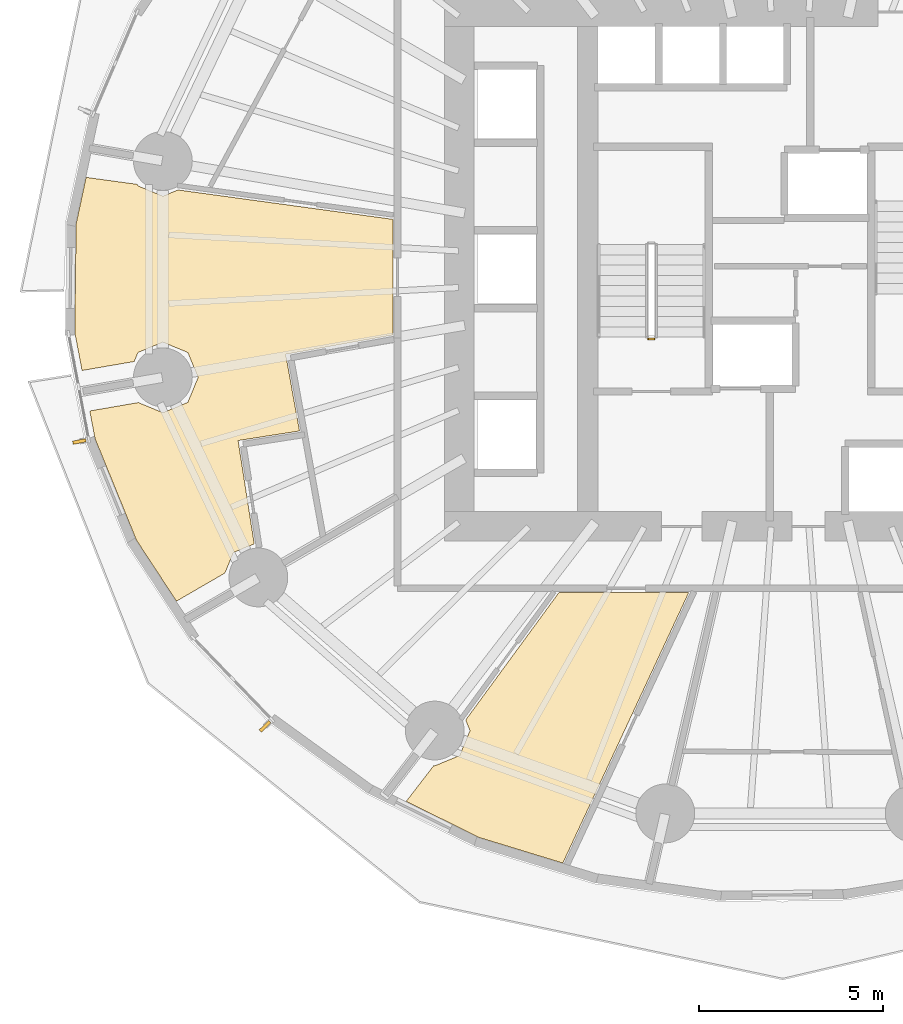
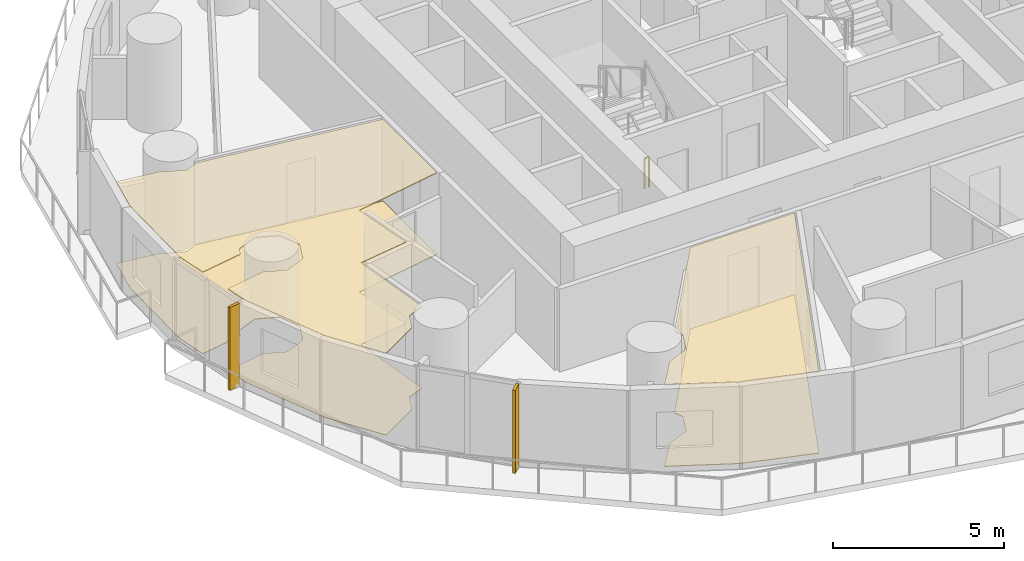
# One storey, part 11 of 14: 4 coverings, 2 shading devices, 1 railing.
"""IFC4 building model written with IfcOpenShell, lengths in metres."""

from ifc_helpers import new_model, si_unit, direction, frame, origin, origin_2d, place, context, subcontext, project, spatial, polyline, rectangle, outline, extrude, material, layer, layer_set, type_object, element, save


model = new_model("IFC4")

# Units and contexts
model_context = context("Model", 3, precision=1e-05, world=origin(), true_north=direction((0.0, 1.0)))
body_context = subcontext(model_context, "Body", "Model", "MODEL_VIEW")
ifc_project = project(units=[si_unit("LENGTHUNIT", "METRE"), si_unit("AREAUNIT", "SQUARE_METRE"), si_unit("VOLUMEUNIT", "CUBIC_METRE"), si_unit("PLANEANGLEUNIT", "RADIAN"), si_unit("MASSUNIT", "GRAM", prefix="KILO")], contexts=[model_context])

# Site, building, storey
site_placement = place(None, origin())
site = spatial("IfcSite", under=ifc_project, at=site_placement, CompositionType="ELEMENT")
building_placement = place(site_placement, origin())
building = spatial("IfcBuilding", under=site, at=building_placement, Name="Veldorim Arch Residences", CompositionType="ELEMENT")
storey_placement = place(building_placement, frame((0.0, 0.0, 31.199951171875)))
storey = spatial("IfcBuildingStorey", under=building, at=storey_placement, Name="L08", CompositionType="ELEMENT", Elevation=31.199951171875)

# Railing
ifc_material_1 = material(Name="Steel S355", Category="steel")
railing_type = type_object("IfcRailingType", Name="Galvanised Steel Stair Safety Guardrail 1100", PredefinedType="GUARDRAIL", material=ifc_material_1)
railing_placement = place(storey_placement, frame((28.31005859375, 22.10009765625, 0.0)))
element("IfcRailing", 1, at=railing_placement, inside=storey, type_object=railing_type, Name="L08 ST-1 stair guard 4", PredefinedType="GUARDRAIL", context=body_context, shape_type="SweptSolid", body=[
    extrude(rectangle(XDim=0.048095703125, YDim=0.048095703125, at=origin_2d()), frame((0.0, 0.0, 1.076171875), z_axis=(-1.0, 0.0, 0.0), x_axis=(0.0, -1.0, 0.0)), (0.0, 0.0, 1.0), 0.16015625),
    extrude(rectangle(XDim=0.0419921875, YDim=0.0419921875, at=origin_2d()), origin(), (0.0, 0.0, 1.0), 1.052001953125),
    extrude(rectangle(XDim=0.0419921875, YDim=0.0419921875, at=origin_2d()), frame((-0.16015625, 0.0, 0.0)), (0.0, 0.0, 1.0), 1.052001953125),
])

# Coverings
ifc_material_2 = material(Name="Acoustic Gypsum & Mineral Fibre", Category="gypsum")
ifc_layer_1 = layer(ifc_material_2, 0.034912109375, Name="Perforated Acoustic Mineral-Fibre Ceiling 35")
ifc_layer_set_1 = layer_set([ifc_layer_1], Name="Acoustic Gypsum & Mineral Fibre")
covering_type_1 = type_object("IfcCoveringType", Name="Perforated Acoustic Mineral-Fibre Ceiling 35", PredefinedType="CEILING", material=ifc_layer_set_1)
covering_1_placement = place(storey_placement, frame((0.0, 0.0, 2.905029296875)))
element("IfcCovering", 2, at=covering_1_placement, inside=storey, type_object=covering_type_1, Name="L08 acoustic suspended ceiling 01", PredefinedType="CEILING", context=body_context, shape_type="SweptSolid", body=[
    extrude(outline(polyline([(22.30859375, 10.4951171875), (22.3330078125, 10.48486328125), (23.01171875, 10.76611328125), (23.29296875, 11.44482421875), (23.17431640625, 11.73095703125), (25.7119140625, 15.199951171875), (29.243896484375, 15.199951171875), (25.818115234375, 7.838623046875), (23.543212890625, 8.53466796875), (21.5546875, 9.51611328125), (22.30859375, 10.4951171875)])), origin(), (0.0, 0.0, 1.0), 0.034912109375),
])
covering_2_placement = place(storey_placement, frame((0.0, 0.0, 2.905029296875)))
element("IfcCovering", 3, at=covering_2_placement, inside=storey, type_object=covering_type_1, Name="L08 acoustic suspended ceiling 06", PredefinedType="CEILING", context=body_context, shape_type="SweptSolid", body=[
    extrude(outline(polyline([(14.255615234375, 26.26708984375), (14.934326171875, 25.986083984375), (15.34619140625, 26.156494140625), (21.199951171875, 25.35595703125), (21.199951171875, 22.210693359375), (18.27587890625, 21.682861328125), (18.652587890625, 19.597412109375), (16.9814453125, 19.3369140625), (17.420166015625, 16.5244140625), (16.853759765625, 16.28955078125), (16.6220703125, 15.730224609375), (15.3037109375, 14.9658203125), (14.214111328125, 16.626953125), (13.089111328125, 19.385986328125), (12.945068359375, 20.142333984375), (14.26708984375, 20.37060546875), (14.934326171875, 20.09423828125), (15.613037109375, 20.37548828125), (15.894287109375, 21.05419921875), (15.613037109375, 21.73291015625), (14.934326171875, 22.013916015625), (14.255615234375, 21.73291015625), (14.154052734375, 21.48779296875), (12.735107421875, 21.242919921875), (12.536865234375, 22.283447265625), (12.573486328125, 25.23291015625), (12.844970703125, 26.498779296875), (14.238525390625, 26.30810546875), (14.255615234375, 26.26708984375)])), origin(), (0.0, 0.0, 1.0), 0.034912109375),
])
ifc_material_3 = material(Name="Porcelain Ceramic Tile", Category="ceramic")
ifc_layer_2 = layer(ifc_material_3, 0.02001953125, Name="Slip-Resistant Porcelain & Vinyl Floor Finish 20")
ifc_layer_set_2 = layer_set([ifc_layer_2], Name="Porcelain Ceramic Tile")
covering_type_2 = type_object("IfcCoveringType", Name="Slip-Resistant Porcelain & Vinyl Floor Finish 20", PredefinedType="FLOORING", material=ifc_layer_set_2)
covering_3_placement = place(storey_placement, origin())
element("IfcCovering", 4, at=covering_3_placement, inside=storey, type_object=covering_type_2, Name="L08 porcelain floor finish 01", PredefinedType="FLOORING", context=body_context, shape_type="SweptSolid", body=[
    extrude(outline(polyline([(22.30859375, 10.4951171875), (22.3330078125, 10.48486328125), (23.01171875, 10.76611328125), (23.29296875, 11.44482421875), (23.17431640625, 11.73095703125), (25.7119140625, 15.199951171875), (29.243896484375, 15.199951171875), (25.818115234375, 7.838623046875), (23.543212890625, 8.53466796875), (21.5546875, 9.51611328125), (22.30859375, 10.4951171875)])), origin(), (0.0, 0.0, 1.0), 0.02001953125),
])
covering_4_placement = place(storey_placement, origin())
element("IfcCovering", 5, at=covering_4_placement, inside=storey, type_object=covering_type_2, Name="L08 porcelain floor finish 06", PredefinedType="FLOORING", context=body_context, shape_type="SweptSolid", body=[
    extrude(outline(polyline([(14.255615234375, 26.26708984375), (14.934326171875, 25.986083984375), (15.34619140625, 26.156494140625), (21.199951171875, 25.35595703125), (21.199951171875, 22.210693359375), (18.27587890625, 21.682861328125), (18.652587890625, 19.597412109375), (16.9814453125, 19.3369140625), (17.420166015625, 16.5244140625), (16.853759765625, 16.28955078125), (16.6220703125, 15.730224609375), (15.3037109375, 14.9658203125), (14.214111328125, 16.626953125), (13.089111328125, 19.385986328125), (12.945068359375, 20.142333984375), (14.26708984375, 20.37060546875), (14.934326171875, 20.09423828125), (15.613037109375, 20.37548828125), (15.894287109375, 21.05419921875), (15.613037109375, 21.73291015625), (14.934326171875, 22.013916015625), (14.255615234375, 21.73291015625), (14.154052734375, 21.48779296875), (12.735107421875, 21.242919921875), (12.536865234375, 22.283447265625), (12.573486328125, 25.23291015625), (12.844970703125, 26.498779296875), (14.238525390625, 26.30810546875), (14.255615234375, 26.26708984375)])), origin(), (0.0, 0.0, 1.0), 0.02001953125),
])

# Shading devices
ifc_material_4 = material(Name="Terracotta Ceramic", Category="masonry")
ifc_layer_3 = layer(ifc_material_4, 0.090087890625, Name="Vertical Extruded Terracotta Baguette Sun-Shading Fin")
ifc_layer_set_3 = layer_set([ifc_layer_3], Name="Terracotta Ceramic")
shading_device_type = type_object("IfcShadingDeviceType", Name="Vertical Extruded Terracotta Baguette Sun-Shading Fin", PredefinedType="USERDEFINED", material=ifc_layer_set_3)
for number, where, z_axis, x_axis, name in (
    (6, (12.6630859375, 19.3115234375, 0.0), (0.0, 0.0, 1.0), (-0.187209870265, 0.982319939976, 0.0), "L08 vertical terracotta sun-shading fin 19"),
    (7, (17.71533203125, 11.55810546875, 0.0), (0.0, 0.0, 1.0), (-0.693527577607, 0.720430079257, 0.0), "L08 vertical terracotta sun-shading fin 22"),
):
    element("IfcShadingDevice", number, at=place(storey_placement, frame(where, z_axis=z_axis, x_axis=x_axis)), inside=storey, type_object=shading_device_type, Name=name, ObjectType="FIN", PredefinedType="USERDEFINED", context=body_context, shape_type="SweptSolid", body=[
        extrude(rectangle(XDim=0.090087890625, YDim=0.360107421875, at=origin_2d()), origin(), (0.0, 0.0, 1.0), 2.9599609375),
    ])

save(model, "model.ifc")
